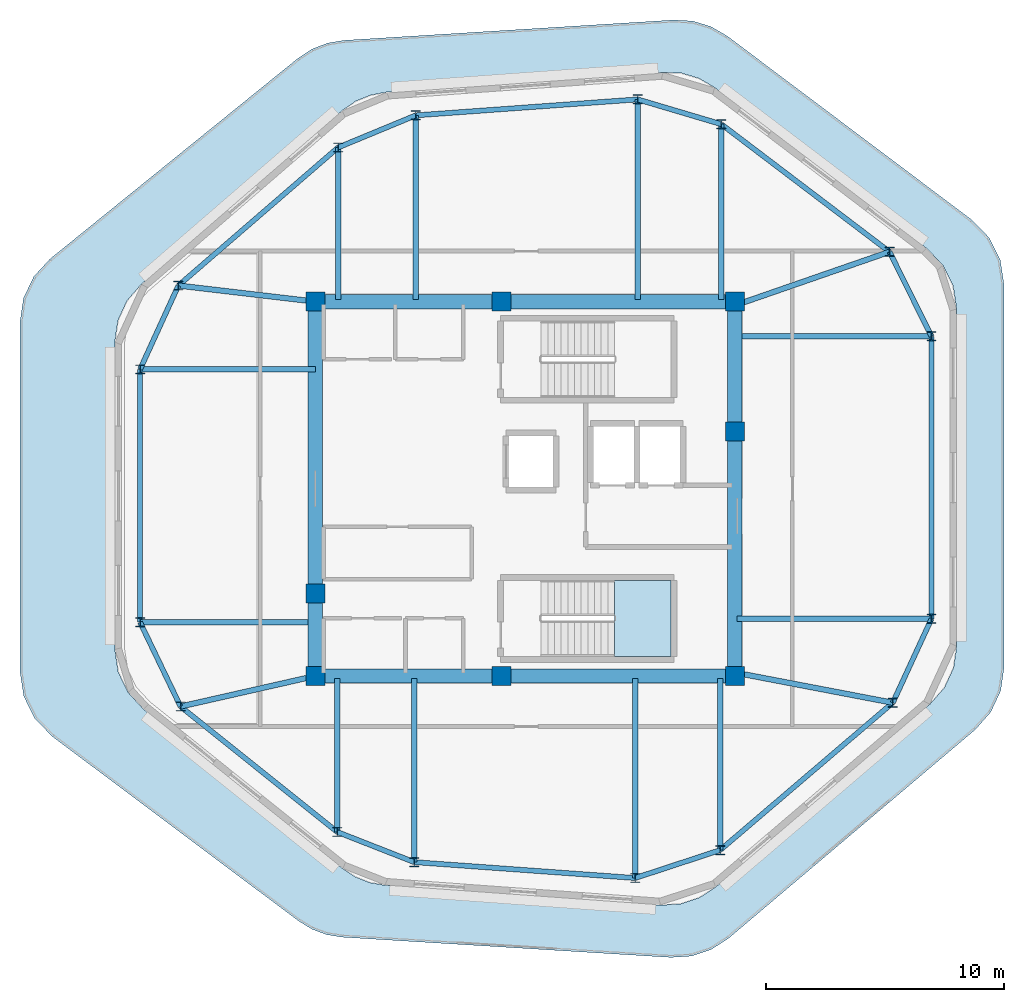
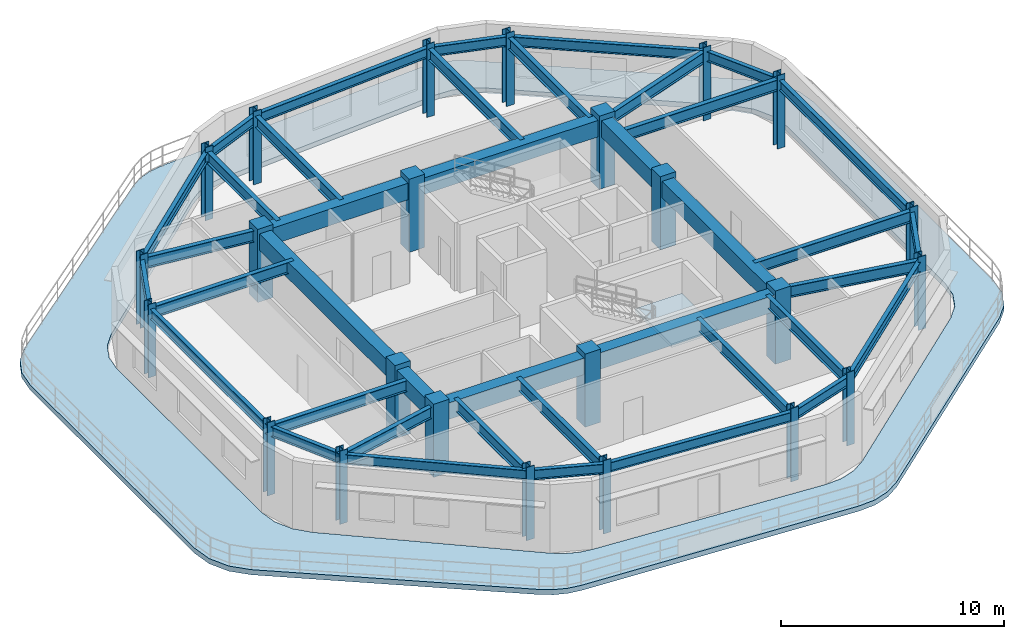
# One storey, part 1 of 7: 40 beams, 24 columns, 2 slabs, 1 element without a shape of its own.
"""IFC4 building model written with IfcOpenShell, lengths in metres."""

from ifc_helpers import new_model, si_unit, direction, frame, origin, origin_2d, place, context, subcontext, project, spatial, polyline, rectangle, i_section, outline, extrude, material, layer, layer_set, material_profile, profile_set, type_object, element, aggregate, save


model = new_model("IFC4")

# Units and contexts
model_context = context("Model", 3, precision=1e-05, world=origin(), true_north=direction((0.0, 1.0)))
body_context = subcontext(model_context, "Body", "Model", "MODEL_VIEW")
ifc_project = project(units=[si_unit("LENGTHUNIT", "METRE"), si_unit("AREAUNIT", "SQUARE_METRE"), si_unit("VOLUMEUNIT", "CUBIC_METRE"), si_unit("PLANEANGLEUNIT", "RADIAN"), si_unit("MASSUNIT", "GRAM", prefix="KILO")], contexts=[model_context])

# Site, building, storey
site_placement = place(None, origin())
site = spatial("IfcSite", under=ifc_project, at=site_placement, CompositionType="ELEMENT")
building_placement = place(site_placement, origin())
building = spatial("IfcBuilding", under=site, at=building_placement, Name="Zulverin Broadcast Headquarters", CompositionType="ELEMENT")
storey_placement = place(building_placement, frame((0.0, 0.0, 321.39990234375)))
storey = spatial("IfcBuildingStorey", under=building, at=storey_placement, Name="C3", CompositionType="ELEMENT", Elevation=321.39990234375)

# Columns
ifc_material_1 = material(Name="Structural steel S355JR", Category="steel")
ifc_material_profile_1 = material_profile(ifc_material_1, i_section(OverallWidth=0.39892578125, OverallDepth=0.3935546875, WebThickness=0.022705078125, FlangeThickness=0.03662109375, at=origin_2d()), Name="Structural steel S355JR", Category="steel")
ifc_profile_set_1 = profile_set([ifc_material_profile_1], Name="Structural steel S355JR")
column_type_1 = type_object("IfcColumnType", Name="COL-UC-287", PredefinedType="COLUMN", material=ifc_profile_set_1)
for number, where, z_axis, x_axis, name in (
    (1, (34.783447265625, 9.493408203125, 0.0), (0.0, 0.0, 1.0), (1.0, 0.0, 0.0), "C3 Perimeter Column T01"),
    (2, (44.08349609375, 8.823974609375, 0.0), (0.0, 0.0, 1.0), (1.0, 0.0, 0.0), "C3 Perimeter Column T02"),
    (3, (47.6552734375, 9.9970703125, 0.0), (0.0, 0.0, 1.0), (1.0, 0.0, 0.0), "C3 Perimeter Column T03"),
    (4, (54.9208984375, 16.197998046875, 0.0), (0.0, 0.0, 1.0), (1.0, 0.0, 0.0), "C3 Perimeter Column T04"),
    (5, (56.550048828125, 19.72998046875, 0.0), (0.0, 0.0, 1.0), (1.0, 0.0, 0.0), "C3 Perimeter Column T05"),
    (6, (56.550048828125, 31.613037109375, 0.0), (0.0, 0.0, 1.0), (1.0, 0.0, 0.0), "C3 Perimeter Column T06"),
    (7, (54.783203125, 35.1708984375, 0.0), (0.0, 0.0, 1.0), (1.0, 0.0, 0.0), "C3 Perimeter Column T07"),
    (8, (47.706298828125, 40.53955078125, 0.0), (0.0, 0.0, 1.0), (1.0, 0.0, 0.0), "C3 Perimeter Column T08"),
    (9, (44.189453125, 41.58349609375, 0.0), (0.0, 0.0, 1.0), (1.0, 0.0, 0.0), "C3 Perimeter Column T09"),
    (10, (34.85009765625, 40.91162109375, 0.0), (0.0, 0.0, 1.0), (1.0, 0.0, 0.0), "C3 Perimeter Column T10"),
    (11, (31.581298828125, 39.558837890625, 0.0), (0.0, 0.0, 1.0), (1.0, 0.0, 0.0), "C3 Perimeter Column T11"),
    (12, (24.86376953125, 33.751220703125, 0.0), (0.0, 0.0, 1.0), (1.0, 0.0, 0.0), "C3 Perimeter Column T12"),
    (13, (23.25, 30.222412109375, 0.0), (0.0, 0.0, 1.0), (1.0, 0.0, 0.0), "C3 Perimeter Column T13"),
    (14, (23.25, 19.58740234375, 0.0), (0.0, 0.0, 1.0), (1.0, 0.0, 0.0), "C3 Perimeter Column T14"),
    (15, (24.9541015625, 16.040283203125, 0.0), (0.0, 0.0, 1.0), (1.0, 0.0, 0.0), "C3 Perimeter Column T15"),
    (16, (31.54931640625, 10.760498046875, 0.0), (0.0, 0.0, 1.0), (1.0, 0.0, 0.0), "C3 Perimeter Column T16"),
):
    element("IfcColumn", number, at=place(storey_placement, frame(where, z_axis=z_axis, x_axis=x_axis)), inside=storey, type_object=column_type_1, Name=name, PredefinedType="COLUMN", context=body_context, shape_type="SweptSolid", body=[
        extrude(i_section(OverallWidth=0.39892578125, OverallDepth=0.3935546875, WebThickness=0.022705078125, FlangeThickness=0.03662109375, at=origin_2d()), origin(), (0.0, 0.0, 1.0), 4.0),
    ])
ifc_material_2 = material(Name="Concrete C50/60", Category="concrete")
ifc_material_profile_2 = material_profile(ifc_material_2, rectangle(XDim=0.800048828125, YDim=0.800048828125, at=origin_2d()), Name="Concrete C50/60", Category="concrete")
ifc_profile_set_2 = profile_set([ifc_material_profile_2], Name="Concrete C50/60")
column_type_2 = type_object("IfcColumnType", Name="PIL-RC-800", PredefinedType="PILASTER", material=ifc_profile_set_2)
for number, where, z_axis, x_axis, name in (
    (17, (30.625, 17.324951171875, 0.0), (0.0, 0.0, 1.0), (1.0, 0.0, 0.0), "C3 Core Pilaster K01"),
    (18, (38.449951171875, 17.324951171875, 0.0), (0.0, 0.0, 1.0), (1.0, 0.0, 0.0), "C3 Core Pilaster K02"),
    (19, (48.27490234375, 17.324951171875, 0.0), (0.0, 0.0, 1.0), (1.0, 0.0, 0.0), "C3 Core Pilaster K03"),
    (20, (48.27490234375, 27.6201171875, 0.0), (0.0, 0.0, 1.0), (1.0, 0.0, 0.0), "C3 Core Pilaster K04"),
    (21, (48.27490234375, 33.074951171875, 0.0), (0.0, 0.0, 1.0), (1.0, 0.0, 0.0), "C3 Core Pilaster K05"),
    (22, (38.449951171875, 33.074951171875, 0.0), (0.0, 0.0, 1.0), (1.0, 0.0, 0.0), "C3 Core Pilaster K06"),
    (23, (30.625, 33.074951171875, 0.0), (0.0, 0.0, 1.0), (1.0, 0.0, 0.0), "C3 Core Pilaster K07"),
    (24, (30.625, 20.800048828125, 0.0), (0.0, 0.0, 1.0), (1.0, 0.0, 0.0), "C3 Core Pilaster K08"),
):
    element("IfcColumn", number, at=place(storey_placement, frame(where, z_axis=z_axis, x_axis=x_axis)), inside=storey, type_object=column_type_2, Name=name, PredefinedType="PILASTER", context=body_context, shape_type="SweptSolid", body=[
        extrude(rectangle(XDim=0.800048828125, YDim=0.800048828125, at=origin_2d()), origin(), (0.0, 0.0, 1.0), 4.0),
    ])

# Beams
ifc_material_3 = material(Name="Concrete C60/75", Category="concrete")
ifc_material_profile_3 = material_profile(ifc_material_3, rectangle(XDim=0.60009765625, YDim=0.89990234375, at=origin_2d()), Name="Concrete C60/75", Category="concrete")
ifc_profile_set_3 = profile_set([ifc_material_profile_3], Name="Concrete C60/75")
beam_type_1 = type_object("IfcBeamType", Name="BM-CB-600x900", PredefinedType="LINTEL", material=ifc_profile_set_3)
beam_1_placement = place(storey_placement, frame((30.625, 17.324951171875, 3.27001953125), z_axis=(1.0, 0.0, 0.0), x_axis=(0.0, 1.0, 0.0)))
element("IfcBeam", 25, at=beam_1_placement, inside=storey, type_object=beam_type_1, Name="C3 Core Coupling Girder K01-K02", PredefinedType="LINTEL", context=body_context, shape_type="SweptSolid", body=[
    extrude(rectangle(XDim=0.60009765625, YDim=0.89990234375, at=origin_2d()), origin(), (0.0, 0.0, 1.0), 7.824951171875),
])
beam_2_placement = place(storey_placement, frame((38.449951171875, 17.324951171875, 3.27001953125), z_axis=(1.0, 0.0, 0.0), x_axis=(0.0, 1.0, 0.0)))
element("IfcBeam", 26, at=beam_2_placement, inside=storey, type_object=beam_type_1, Name="C3 Core Coupling Girder K02-K03", PredefinedType="LINTEL", context=body_context, shape_type="SweptSolid", body=[
    extrude(rectangle(XDim=0.60009765625, YDim=0.89990234375, at=origin_2d()), origin(), (0.0, 0.0, 1.0), 9.824951171875),
])
beam_3_placement = place(storey_placement, frame((48.27490234375, 17.324951171875, 3.27001953125), z_axis=(0.0, 1.0, 0.0), x_axis=(-1.0, 0.0, 0.0)))
element("IfcBeam", 27, at=beam_3_placement, inside=storey, type_object=beam_type_1, Name="C3 Core Coupling Girder K03-K04", PredefinedType="LINTEL", context=body_context, shape_type="SweptSolid", body=[
    extrude(rectangle(XDim=0.60009765625, YDim=0.89990234375, at=origin_2d()), origin(), (0.0, 0.0, 1.0), 10.295166015625),
])
beam_4_placement = place(storey_placement, frame((48.27490234375, 27.6201171875, 3.27001953125), z_axis=(0.0, 1.0, 0.0), x_axis=(-1.0, 0.0, 0.0)))
element("IfcBeam", 28, at=beam_4_placement, inside=storey, type_object=beam_type_1, Name="C3 Core Coupling Girder K04-K05", PredefinedType="LINTEL", context=body_context, shape_type="SweptSolid", body=[
    extrude(rectangle(XDim=0.60009765625, YDim=0.89990234375, at=origin_2d()), origin(), (0.0, 0.0, 1.0), 5.454833984375),
])
beam_5_placement = place(storey_placement, frame((48.27490234375, 33.074951171875, 3.27001953125), z_axis=(-1.0, 0.0, 0.0), x_axis=(0.0, -1.0, 0.0)))
element("IfcBeam", 29, at=beam_5_placement, inside=storey, type_object=beam_type_1, Name="C3 Core Coupling Girder K05-K06", PredefinedType="LINTEL", context=body_context, shape_type="SweptSolid", body=[
    extrude(rectangle(XDim=0.60009765625, YDim=0.89990234375, at=origin_2d()), origin(), (0.0, 0.0, 1.0), 9.824951171875),
])
beam_6_placement = place(storey_placement, frame((38.449951171875, 33.074951171875, 3.27001953125), z_axis=(-1.0, 0.0, 0.0), x_axis=(0.0, -1.0, 0.0)))
element("IfcBeam", 30, at=beam_6_placement, inside=storey, type_object=beam_type_1, Name="C3 Core Coupling Girder K06-K07", PredefinedType="LINTEL", context=body_context, shape_type="SweptSolid", body=[
    extrude(rectangle(XDim=0.60009765625, YDim=0.89990234375, at=origin_2d()), origin(), (0.0, 0.0, 1.0), 7.824951171875),
])
beam_7_placement = place(storey_placement, frame((30.625, 33.074951171875, 3.27001953125), z_axis=(0.0, -1.0, 0.0), x_axis=(1.0, 0.0, 0.0)))
element("IfcBeam", 31, at=beam_7_placement, inside=storey, type_object=beam_type_1, Name="C3 Core Coupling Girder K07-K08", PredefinedType="LINTEL", context=body_context, shape_type="SweptSolid", body=[
    extrude(rectangle(XDim=0.60009765625, YDim=0.89990234375, at=origin_2d()), origin(), (0.0, 0.0, 1.0), 12.27490234375),
])
beam_8_placement = place(storey_placement, frame((30.625, 20.800048828125, 3.27001953125), z_axis=(0.0, -1.0, 0.0), x_axis=(1.0, 0.0, 0.0)))
element("IfcBeam", 32, at=beam_8_placement, inside=storey, type_object=beam_type_1, Name="C3 Core Coupling Girder K08-K01", PredefinedType="LINTEL", context=body_context, shape_type="SweptSolid", body=[
    extrude(rectangle(XDim=0.60009765625, YDim=0.89990234375, at=origin_2d()), origin(), (0.0, 0.0, 1.0), 3.47509765625),
])
ifc_material_profile_4 = material_profile(ifc_material_1, i_section(OverallWidth=0.2119140625, OverallDepth=0.54443359375, WebThickness=0.0126953125, FlangeThickness=0.021240234375, at=origin_2d()), Name="Structural steel S355JR", Category="steel")
ifc_profile_set_4 = profile_set([ifc_material_profile_4], Name="Structural steel S355JR")
beam_type_2 = type_object("IfcBeamType", Name="BM-UB-533", PredefinedType="SPANDREL", material=ifc_profile_set_4)
beam_9_placement = place(storey_placement, frame((34.783447265625, 9.493408203125, 3.447998046875), z_axis=(0.997419339548, -0.071795968525, 0.0), x_axis=(0.071795968525, 0.997419339548, 0.0)))
element("IfcBeam", 33, at=beam_9_placement, inside=storey, type_object=beam_type_2, Name="C3 Perimeter Spandrel Beam SP-01", PredefinedType="SPANDREL", context=body_context, shape_type="SweptSolid", body=[
    extrude(i_section(OverallWidth=0.2119140625, OverallDepth=0.54443359375, WebThickness=0.0126953125, FlangeThickness=0.021240234375, at=origin_2d()), origin(), (0.0, 0.0, 1.0), 9.32421875),
])
beam_10_placement = place(storey_placement, frame((44.08349609375, 8.823974609375, 3.447998046875), z_axis=(0.950070258363, 0.312036062299, 0.0), x_axis=(-0.312036062299, 0.950070258363, 0.0)))
element("IfcBeam", 34, at=beam_10_placement, inside=storey, type_object=beam_type_2, Name="C3 Perimeter Spandrel Beam SP-02", PredefinedType="SPANDREL", context=body_context, shape_type="SweptSolid", body=[
    extrude(i_section(OverallWidth=0.2119140625, OverallDepth=0.54443359375, WebThickness=0.0126953125, FlangeThickness=0.021240234375, at=origin_2d()), origin(), (0.0, 0.0, 1.0), 3.759521484375),
])
beam_11_placement = place(storey_placement, frame((47.6552734375, 9.9970703125, 3.447998046875), z_axis=(0.760638685458, 0.649175469488, 0.0), x_axis=(-0.649175469488, 0.760638685458, 0.0)))
element("IfcBeam", 35, at=beam_11_placement, inside=storey, type_object=beam_type_2, Name="C3 Perimeter Spandrel Beam SP-03", PredefinedType="SPANDREL", context=body_context, shape_type="SweptSolid", body=[
    extrude(i_section(OverallWidth=0.2119140625, OverallDepth=0.54443359375, WebThickness=0.0126953125, FlangeThickness=0.021240234375, at=origin_2d()), origin(), (0.0, 0.0, 1.0), 9.552001953125),
])
beam_12_placement = place(storey_placement, frame((54.9208984375, 16.197998046875, 3.447998046875), z_axis=(0.418847206276, 0.908056726089, 0.0), x_axis=(-0.908056726089, 0.418847206276, 0.0)))
element("IfcBeam", 36, at=beam_12_placement, inside=storey, type_object=beam_type_2, Name="C3 Perimeter Spandrel Beam SP-04", PredefinedType="SPANDREL", context=body_context, shape_type="SweptSolid", body=[
    extrude(i_section(OverallWidth=0.2119140625, OverallDepth=0.54443359375, WebThickness=0.0126953125, FlangeThickness=0.021240234375, at=origin_2d()), origin(), (0.0, 0.0, 1.0), 3.8896484375),
])
beam_13_placement = place(storey_placement, frame((56.550048828125, 19.72998046875, 3.447998046875), z_axis=(0.0, 1.0, 0.0), x_axis=(-1.0, 0.0, 0.0)))
element("IfcBeam", 37, at=beam_13_placement, inside=storey, type_object=beam_type_2, Name="C3 Perimeter Spandrel Beam SP-05", PredefinedType="SPANDREL", context=body_context, shape_type="SweptSolid", body=[
    extrude(i_section(OverallWidth=0.2119140625, OverallDepth=0.54443359375, WebThickness=0.0126953125, FlangeThickness=0.021240234375, at=origin_2d()), origin(), (0.0, 0.0, 1.0), 11.883056640625),
])
beam_14_placement = place(storey_placement, frame((56.550048828125, 31.613037109375, 3.447998046875), z_axis=(-0.444778166869, 0.89564076631, 0.0), x_axis=(-0.89564076631, -0.444778166869, 0.0)))
element("IfcBeam", 38, at=beam_14_placement, inside=storey, type_object=beam_type_2, Name="C3 Perimeter Spandrel Beam SP-06", PredefinedType="SPANDREL", context=body_context, shape_type="SweptSolid", body=[
    extrude(i_section(OverallWidth=0.2119140625, OverallDepth=0.54443359375, WebThickness=0.0126953125, FlangeThickness=0.021240234375, at=origin_2d()), origin(), (0.0, 0.0, 1.0), 3.972412109375),
])
beam_15_placement = place(storey_placement, frame((54.783203125, 35.1708984375, 3.447998046875), z_axis=(-0.796693096284, 0.604384075182, 0.0), x_axis=(-0.604384075182, -0.796693096284, 0.0)))
element("IfcBeam", 39, at=beam_15_placement, inside=storey, type_object=beam_type_2, Name="C3 Perimeter Spandrel Beam SP-07", PredefinedType="SPANDREL", context=body_context, shape_type="SweptSolid", body=[
    extrude(i_section(OverallWidth=0.2119140625, OverallDepth=0.54443359375, WebThickness=0.0126953125, FlangeThickness=0.021240234375, at=origin_2d()), origin(), (0.0, 0.0, 1.0), 8.8828125),
])
beam_16_placement = place(storey_placement, frame((47.706298828125, 40.53955078125, 3.447998046875), z_axis=(-0.958655660541, 0.284568663969, 0.0), x_axis=(-0.284568663969, -0.958655660541, 0.0)))
element("IfcBeam", 40, at=beam_16_placement, inside=storey, type_object=beam_type_2, Name="C3 Perimeter Spandrel Beam SP-08", PredefinedType="SPANDREL", context=body_context, shape_type="SweptSolid", body=[
    extrude(i_section(OverallWidth=0.2119140625, OverallDepth=0.54443359375, WebThickness=0.0126953125, FlangeThickness=0.021240234375, at=origin_2d()), origin(), (0.0, 0.0, 1.0), 3.66845703125),
])
beam_17_placement = place(storey_placement, frame((44.189453125, 41.58349609375, 3.447998046875), z_axis=(-0.997422305712, -0.071754749446, 0.0), x_axis=(0.071754749446, -0.997422305712, 0.0)))
element("IfcBeam", 41, at=beam_17_placement, inside=storey, type_object=beam_type_2, Name="C3 Perimeter Spandrel Beam SP-09", PredefinedType="SPANDREL", context=body_context, shape_type="SweptSolid", body=[
    extrude(i_section(OverallWidth=0.2119140625, OverallDepth=0.54443359375, WebThickness=0.0126953125, FlangeThickness=0.021240234375, at=origin_2d()), origin(), (0.0, 0.0, 1.0), 9.363525390625),
])
beam_18_placement = place(storey_placement, frame((34.85009765625, 40.91162109375, 3.447998046875), z_axis=(-0.923999175622, -0.382394460537, 0.0), x_axis=(0.382394460537, -0.923999175622, 0.0)))
element("IfcBeam", 42, at=beam_18_placement, inside=storey, type_object=beam_type_2, Name="C3 Perimeter Spandrel Beam SP-10", PredefinedType="SPANDREL", context=body_context, shape_type="SweptSolid", body=[
    extrude(i_section(OverallWidth=0.2119140625, OverallDepth=0.54443359375, WebThickness=0.0126953125, FlangeThickness=0.021240234375, at=origin_2d()), origin(), (0.0, 0.0, 1.0), 3.53759765625),
])
beam_19_placement = place(storey_placement, frame((31.581298828125, 39.558837890625, 3.447998046875), z_axis=(-0.756482279047, -0.654014190586, 0.0), x_axis=(0.654014190586, -0.756482279047, 0.0)))
element("IfcBeam", 43, at=beam_19_placement, inside=storey, type_object=beam_type_2, Name="C3 Perimeter Spandrel Beam SP-11", PredefinedType="SPANDREL", context=body_context, shape_type="SweptSolid", body=[
    extrude(i_section(OverallWidth=0.2119140625, OverallDepth=0.54443359375, WebThickness=0.0126953125, FlangeThickness=0.021240234375, at=origin_2d()), origin(), (0.0, 0.0, 1.0), 8.8798828125),
])
beam_20_placement = place(storey_placement, frame((24.86376953125, 33.751220703125, 3.447998046875), z_axis=(-0.415887631257, -0.909416009408, 0.0), x_axis=(0.909416009408, -0.415887631257, 0.0)))
element("IfcBeam", 44, at=beam_20_placement, inside=storey, type_object=beam_type_2, Name="C3 Perimeter Spandrel Beam SP-12", PredefinedType="SPANDREL", context=body_context, shape_type="SweptSolid", body=[
    extrude(i_section(OverallWidth=0.2119140625, OverallDepth=0.54443359375, WebThickness=0.0126953125, FlangeThickness=0.021240234375, at=origin_2d()), origin(), (0.0, 0.0, 1.0), 3.88037109375),
])
beam_21_placement = place(storey_placement, frame((23.25, 30.222412109375, 3.447998046875), z_axis=(0.0, -1.0, 0.0), x_axis=(1.0, 0.0, 0.0)))
element("IfcBeam", 45, at=beam_21_placement, inside=storey, type_object=beam_type_2, Name="C3 Perimeter Spandrel Beam SP-13", PredefinedType="SPANDREL", context=body_context, shape_type="SweptSolid", body=[
    extrude(i_section(OverallWidth=0.2119140625, OverallDepth=0.54443359375, WebThickness=0.0126953125, FlangeThickness=0.021240234375, at=origin_2d()), origin(), (0.0, 0.0, 1.0), 10.635009765625),
])
beam_22_placement = place(storey_placement, frame((23.25, 19.58740234375, 3.447998046875), z_axis=(0.433037611011, -0.901375852489, 0.0), x_axis=(0.901375852489, 0.433037611011, 0.0)))
element("IfcBeam", 46, at=beam_22_placement, inside=storey, type_object=beam_type_2, Name="C3 Perimeter Spandrel Beam SP-14", PredefinedType="SPANDREL", context=body_context, shape_type="SweptSolid", body=[
    extrude(i_section(OverallWidth=0.2119140625, OverallDepth=0.54443359375, WebThickness=0.0126953125, FlangeThickness=0.021240234375, at=origin_2d()), origin(), (0.0, 0.0, 1.0), 3.935302734375),
])
beam_23_placement = place(storey_placement, frame((24.9541015625, 16.040283203125, 3.447998046875), z_axis=(0.780660133876, -0.624955802739, 0.0), x_axis=(0.624955802739, 0.780660133876, 0.0)))
element("IfcBeam", 47, at=beam_23_placement, inside=storey, type_object=beam_type_2, Name="C3 Perimeter Spandrel Beam SP-15", PredefinedType="SPANDREL", context=body_context, shape_type="SweptSolid", body=[
    extrude(i_section(OverallWidth=0.2119140625, OverallDepth=0.54443359375, WebThickness=0.0126953125, FlangeThickness=0.021240234375, at=origin_2d()), origin(), (0.0, 0.0, 1.0), 8.4482421875),
])
beam_24_placement = place(storey_placement, frame((31.54931640625, 10.760498046875, 3.447998046875), z_axis=(0.931090256354, -0.364788890351, 0.0), x_axis=(0.364788890351, 0.931090256354, 0.0)))
element("IfcBeam", 48, at=beam_24_placement, inside=storey, type_object=beam_type_2, Name="C3 Perimeter Spandrel Beam SP-16", PredefinedType="SPANDREL", context=body_context, shape_type="SweptSolid", body=[
    extrude(i_section(OverallWidth=0.2119140625, OverallDepth=0.54443359375, WebThickness=0.0126953125, FlangeThickness=0.021240234375, at=origin_2d()), origin(), (0.0, 0.0, 1.0), 3.473388671875),
])
ifc_material_profile_5 = material_profile(ifc_material_1, i_section(OverallWidth=0.230224609375, OverallDepth=0.6171875, WebThickness=0.01318359375, FlangeThickness=0.022216796875, at=origin_2d()), Name="Structural steel S355JR", Category="steel")
ifc_profile_set_5 = profile_set([ifc_material_profile_5], Name="Structural steel S355JR")
beam_type_3 = type_object("IfcBeamType", Name="BM-UB-610", PredefinedType="BEAM", material=ifc_profile_set_5)
beam_25_placement = place(storey_placement, frame((34.783447265625, 17.22509765625, 3.411376953125), z_axis=(0.0, -1.0, 0.0), x_axis=(1.0, 0.0, 0.0)))
element("IfcBeam", 49, at=beam_25_placement, inside=storey, type_object=beam_type_3, Name="C3 Radial Primary Floor Beam RB-01", PredefinedType="BEAM", context=body_context, shape_type="SweptSolid", body=[
    extrude(i_section(OverallWidth=0.230224609375, OverallDepth=0.6171875, WebThickness=0.01318359375, FlangeThickness=0.022216796875, at=origin_2d()), origin(), (0.0, 0.0, 1.0), 7.731689453125),
])
beam_26_placement = place(storey_placement, frame((44.08349609375, 17.22509765625, 3.411376953125), z_axis=(0.0, -1.0, 0.0), x_axis=(1.0, 0.0, 0.0)))
element("IfcBeam", 50, at=beam_26_placement, inside=storey, type_object=beam_type_3, Name="C3 Radial Primary Floor Beam RB-02", PredefinedType="BEAM", context=body_context, shape_type="SweptSolid", body=[
    extrude(i_section(OverallWidth=0.230224609375, OverallDepth=0.6171875, WebThickness=0.01318359375, FlangeThickness=0.022216796875, at=origin_2d()), origin(), (0.0, 0.0, 1.0), 8.401123046875),
])
beam_27_placement = place(storey_placement, frame((47.6552734375, 17.22509765625, 3.411376953125), z_axis=(0.0, -1.0, 0.0), x_axis=(1.0, 0.0, 0.0)))
element("IfcBeam", 51, at=beam_27_placement, inside=storey, type_object=beam_type_3, Name="C3 Radial Primary Floor Beam RB-03", PredefinedType="BEAM", context=body_context, shape_type="SweptSolid", body=[
    extrude(i_section(OverallWidth=0.230224609375, OverallDepth=0.6171875, WebThickness=0.01318359375, FlangeThickness=0.022216796875, at=origin_2d()), origin(), (0.0, 0.0, 1.0), 7.22802734375),
])
beam_28_placement = place(storey_placement, frame((48.375, 17.449951171875, 3.411376953125), z_axis=(0.982197207032, -0.187852725558, 0.0), x_axis=(0.187852725558, 0.982197207032, 0.0)))
element("IfcBeam", 52, at=beam_28_placement, inside=storey, type_object=beam_type_3, Name="C3 Radial Primary Floor Beam RB-04", PredefinedType="BEAM", context=body_context, shape_type="SweptSolid", body=[
    extrude(i_section(OverallWidth=0.230224609375, OverallDepth=0.6171875, WebThickness=0.01318359375, FlangeThickness=0.022216796875, at=origin_2d()), origin(), (0.0, 0.0, 1.0), 6.66455078125),
])
for number, where, z_axis, x_axis, name in (
    (53, (48.375, 19.72998046875, 3.411376953125), (1.0, 0.0, 0.0), (0.0, 1.0, 0.0), "C3 Radial Primary Floor Beam RB-05"),
    (54, (48.375, 31.613037109375, 3.411376953125), (1.0, 0.0, 0.0), (0.0, 1.0, 0.0), "C3 Radial Primary Floor Beam RB-06"),
):
    element("IfcBeam", number, at=place(storey_placement, frame(where, z_axis=z_axis, x_axis=x_axis)), inside=storey, type_object=beam_type_3, Name=name, PredefinedType="BEAM", context=body_context, shape_type="SweptSolid", body=[
        extrude(i_section(OverallWidth=0.230224609375, OverallDepth=0.6171875, WebThickness=0.01318359375, FlangeThickness=0.022216796875, at=origin_2d()), origin(), (0.0, 0.0, 1.0), 8.175048828125),
    ])
beam_29_placement = place(storey_placement, frame((48.375, 32.949951171875, 3.411376953125), z_axis=(0.944861892571, 0.327469088567, 0.0), x_axis=(-0.327469088567, 0.944861892571, 0.0)))
element("IfcBeam", 55, at=beam_29_placement, inside=storey, type_object=beam_type_3, Name="C3 Radial Primary Floor Beam RB-07", PredefinedType="BEAM", context=body_context, shape_type="SweptSolid", body=[
    extrude(i_section(OverallWidth=0.230224609375, OverallDepth=0.6171875, WebThickness=0.01318359375, FlangeThickness=0.022216796875, at=origin_2d()), origin(), (0.0, 0.0, 1.0), 6.7822265625),
])
beam_30_placement = place(storey_placement, frame((47.706298828125, 33.175048828125, 3.411376953125), z_axis=(0.0, 1.0, 0.0), x_axis=(-1.0, 0.0, 0.0)))
element("IfcBeam", 56, at=beam_30_placement, inside=storey, type_object=beam_type_3, Name="C3 Radial Primary Floor Beam RB-08", PredefinedType="BEAM", context=body_context, shape_type="SweptSolid", body=[
    extrude(i_section(OverallWidth=0.230224609375, OverallDepth=0.6171875, WebThickness=0.01318359375, FlangeThickness=0.022216796875, at=origin_2d()), origin(), (0.0, 0.0, 1.0), 7.364501953125),
])
beam_31_placement = place(storey_placement, frame((44.189453125, 33.175048828125, 3.411376953125), z_axis=(0.0, 1.0, 0.0), x_axis=(-1.0, 0.0, 0.0)))
element("IfcBeam", 57, at=beam_31_placement, inside=storey, type_object=beam_type_3, Name="C3 Radial Primary Floor Beam RB-09", PredefinedType="BEAM", context=body_context, shape_type="SweptSolid", body=[
    extrude(i_section(OverallWidth=0.230224609375, OverallDepth=0.6171875, WebThickness=0.01318359375, FlangeThickness=0.022216796875, at=origin_2d()), origin(), (0.0, 0.0, 1.0), 8.408447265625),
])
beam_32_placement = place(storey_placement, frame((34.85009765625, 33.175048828125, 3.411376953125), z_axis=(0.0, 1.0, 0.0), x_axis=(-1.0, 0.0, 0.0)))
element("IfcBeam", 58, at=beam_32_placement, inside=storey, type_object=beam_type_3, Name="C3 Radial Primary Floor Beam RB-10", PredefinedType="BEAM", context=body_context, shape_type="SweptSolid", body=[
    extrude(i_section(OverallWidth=0.230224609375, OverallDepth=0.6171875, WebThickness=0.01318359375, FlangeThickness=0.022216796875, at=origin_2d()), origin(), (0.0, 0.0, 1.0), 7.736572265625),
])
beam_33_placement = place(storey_placement, frame((31.581298828125, 33.175048828125, 3.411376953125), z_axis=(0.0, 1.0, 0.0), x_axis=(-1.0, 0.0, 0.0)))
element("IfcBeam", 59, at=beam_33_placement, inside=storey, type_object=beam_type_3, Name="C3 Radial Primary Floor Beam RB-11", PredefinedType="BEAM", context=body_context, shape_type="SweptSolid", body=[
    extrude(i_section(OverallWidth=0.230224609375, OverallDepth=0.6171875, WebThickness=0.01318359375, FlangeThickness=0.022216796875, at=origin_2d()), origin(), (0.0, 0.0, 1.0), 6.3837890625),
])
beam_34_placement = place(storey_placement, frame((30.625, 33.074951171875, 3.411376953125), z_axis=(-0.993181022987, 0.11658239824, 0.0), x_axis=(-0.11658239824, -0.993181022987, 0.0)))
element("IfcBeam", 60, at=beam_34_placement, inside=storey, type_object=beam_type_3, Name="C3 Radial Primary Floor Beam RB-12", PredefinedType="BEAM", context=body_context, shape_type="SweptSolid", body=[
    extrude(i_section(OverallWidth=0.230224609375, OverallDepth=0.6171875, WebThickness=0.01318359375, FlangeThickness=0.022216796875, at=origin_2d()), origin(), (0.0, 0.0, 1.0), 5.80078125),
])
for number, where, z_axis, x_axis, name in (
    (61, (30.625, 30.222412109375, 3.411376953125), (-1.0, 0.0, 0.0), (0.0, -1.0, 0.0), "C3 Radial Primary Floor Beam RB-13"),
    (62, (30.625, 19.58740234375, 3.411376953125), (-1.0, 0.0, 0.0), (0.0, -1.0, 0.0), "C3 Radial Primary Floor Beam RB-14"),
):
    element("IfcBeam", number, at=place(storey_placement, frame(where, z_axis=z_axis, x_axis=x_axis)), inside=storey, type_object=beam_type_3, Name=name, PredefinedType="BEAM", context=body_context, shape_type="SweptSolid", body=[
        extrude(i_section(OverallWidth=0.230224609375, OverallDepth=0.6171875, WebThickness=0.01318359375, FlangeThickness=0.022216796875, at=origin_2d()), origin(), (0.0, 0.0, 1.0), 7.375),
    ])
beam_35_placement = place(storey_placement, frame((30.625, 17.324951171875, 3.411376953125), z_axis=(-0.975287698905, -0.220938689153, 0.0), x_axis=(0.220938689153, -0.975287698905, 0.0)))
element("IfcBeam", 63, at=beam_35_placement, inside=storey, type_object=beam_type_3, Name="C3 Radial Primary Floor Beam RB-15", PredefinedType="BEAM", context=body_context, shape_type="SweptSolid", body=[
    extrude(i_section(OverallWidth=0.230224609375, OverallDepth=0.6171875, WebThickness=0.01318359375, FlangeThickness=0.022216796875, at=origin_2d()), origin(), (0.0, 0.0, 1.0), 5.814697265625),
])
beam_36_placement = place(storey_placement, frame((31.54931640625, 17.22509765625, 3.411376953125), z_axis=(0.0, -1.0, 0.0), x_axis=(1.0, 0.0, 0.0)))
element("IfcBeam", 64, at=beam_36_placement, inside=storey, type_object=beam_type_3, Name="C3 Radial Primary Floor Beam RB-16", PredefinedType="BEAM", context=body_context, shape_type="SweptSolid", body=[
    extrude(i_section(OverallWidth=0.230224609375, OverallDepth=0.6171875, WebThickness=0.01318359375, FlangeThickness=0.022216796875, at=origin_2d()), origin(), (0.0, 0.0, 1.0), 6.464599609375),
])

# Stair, slab
ifc_material_4 = material(Name="Concrete C40/50", Category="concrete")
stair_type = type_object("IfcStairType", Name="ST-CORE-1500", PredefinedType="HALF_TURN_STAIR", material=ifc_material_4)
stair_placement = place(storey_placement, origin())
stair = element("IfcStair", 65, at=stair_placement, inside=storey, type_object=stair_type, Name="C3 Core Exit Stair ST-2", PredefinedType="HALF_TURN_STAIR")
ifc_layer_1 = layer(ifc_material_4, 0.199951171875, Name="Concrete C40/50", Category="concrete")
ifc_layer_set_1 = layer_set([ifc_layer_1], Name="Concrete C40/50")
slab_type_1 = type_object("IfcSlabType", Name="SLB-ST-LND200", PredefinedType="LANDING", material=ifc_layer_set_1)
slab_1_placement = place(storey_placement, frame((0.0, 0.0, 1.800048828125)))
slab_1 = element("IfcSlab", 66, at=slab_1_placement, type_object=slab_type_1, Name="ST-2 landing 1", PredefinedType="LANDING", context=body_context, shape_type="SweptSolid", body=[
    extrude(outline(polyline([(43.2099609375, 18.14990234375), (45.60009765625, 18.14990234375), (45.60009765625, 21.35009765625), (43.2099609375, 21.35009765625), (43.2099609375, 18.14990234375)])), origin(), (0.0, 0.0, 1.0), 0.199951171875),
])
aggregate(stair, [slab_1])

# Slab
ifc_layer_2 = layer(ifc_material_4, 0.280029296875, Name="Concrete C40/50", Category="concrete")
ifc_layer_set_2 = layer_set([ifc_layer_2], Name="Concrete C40/50")
slab_type_2 = type_object("IfcSlabType", Name="SLB-TER-280", PredefinedType="FLOOR", material=ifc_layer_set_2)
slab_2_placement = place(storey_placement, frame((0.0, 0.0, -0.27978515625)))
element("IfcSlab", 67, at=slab_2_placement, inside=storey, type_object=slab_type_2, Name="C3 Stepped Crown Planted Terrace Slab", PredefinedType="FLOOR", context=body_context, shape_type="SweptSolid", body=[
    extrude(outline(polyline([(18.827880859375, 15.528076171875), (19.56005859375, 14.780029296875), (29.927978515625, 7.011962890625), (30.491943359375, 6.66796875), (31.10791015625, 6.43994140625), (31.760009765625, 6.3359375), (45.592041015625, 5.48388671875), (46.4560546875, 5.5400390625), (47.27197265625, 5.81201171875), (48.0, 6.280029296875), (58.39599609375, 15.072021484375), (59.0439453125, 15.80810546875), (59.4599609375, 16.699951171875), (59.60009765625, 17.66796875), (59.60009765625, 33.800048828125), (59.43994140625, 34.83203125), (58.971923828125, 35.76806640625), (58.243896484375, 36.51611328125), (47.9560546875, 44.248046875), (47.26806640625, 44.64794921875), (46.50390625, 44.8798828125), (45.7041015625, 44.924072265625), (31.827880859375, 44.068115234375), (31.139892578125, 43.951904296875), (30.48388671875, 43.699951171875), (29.89990234375, 43.31591796875), (19.4599609375, 34.867919921875), (18.780029296875, 34.1279296875), (18.347900390625, 33.219970703125), (18.199951171875, 32.22412109375), (18.199951171875, 17.5), (18.360107421875, 16.468017578125), (18.827880859375, 15.528076171875)]), holes=[polyline([(32.323974609375, 8.864013671875), (31.783935546875, 9.2119140625), (23.39208984375, 15.931884765625), (22.748046875, 16.632080078125), (22.33203125, 17.491943359375), (22.19189453125, 18.43603515625), (22.18798828125, 31.3720703125), (22.320068359375, 32.27587890625), (22.699951171875, 33.10791015625), (23.300048828125, 33.800048828125), (31.756103515625, 41.112060546875), (32.320068359375, 41.50390625), (32.951904296875, 41.763916015625), (33.6240234375, 41.887939453125), (45.260009765625, 42.72412109375), (46.028076171875, 42.68798828125), (46.763916015625, 42.468017578125), (47.427978515625, 42.080078125), (56.340087890625, 35.320068359375), (57.02001953125, 34.615966796875), (57.4599609375, 33.736083984375), (57.60791015625, 32.763916015625), (57.612060546875, 18.580078125), (57.47607421875, 17.66796875), (57.092041015625, 16.83203125), (56.48388671875, 16.139892578125), (47.468017578125, 8.444091796875), (46.77197265625, 7.991943359375), (45.98388671875, 7.73193359375), (45.156005859375, 7.68408203125), (33.56005859375, 8.52001953125), (32.927978515625, 8.6279296875), (32.323974609375, 8.864013671875)])]), origin(), (0.0, 0.0, 1.0), 0.27978515625),
])

save(model, "model.ifc")
